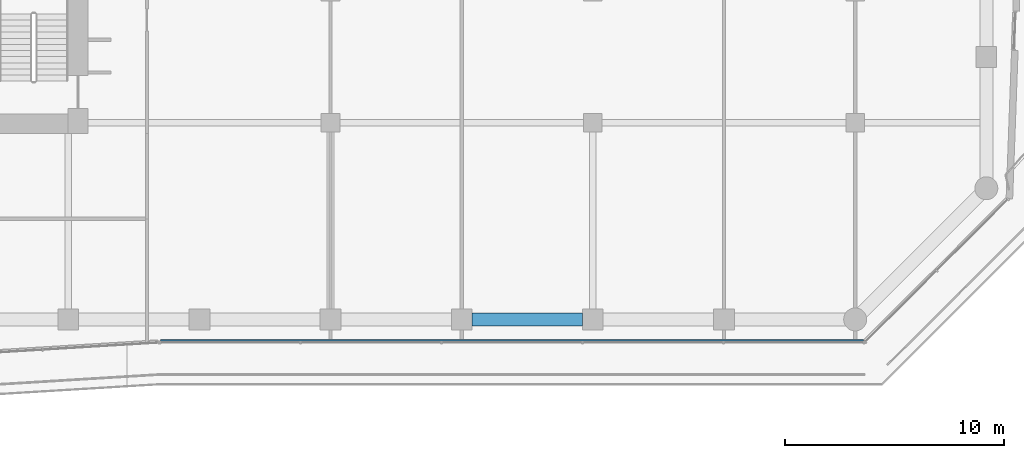
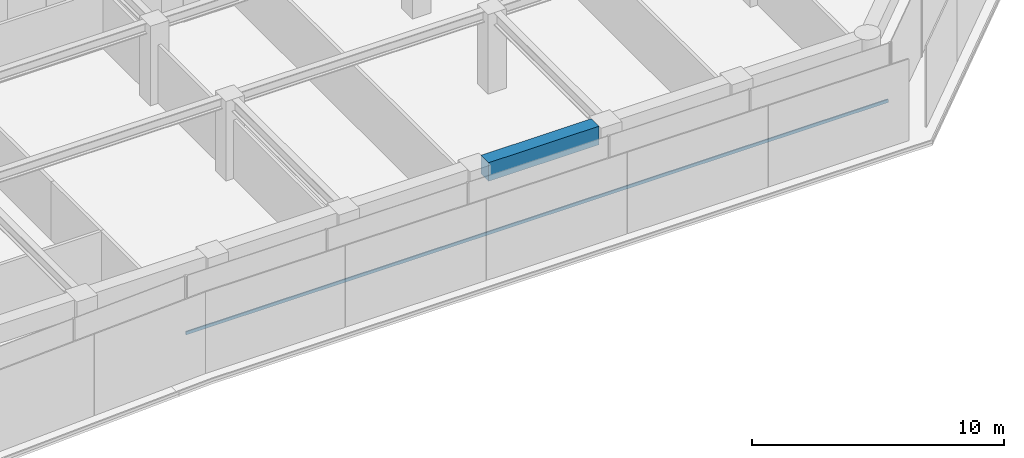
# One storey, part 7 of 29: 1 beam, 1 member, 1 element without a shape of its own.
"""IFC4 building model written with IfcOpenShell, lengths in metres."""

from ifc_helpers import new_model, si_unit, direction, frame, origin, origin_2d, place, context, subcontext, project, spatial, rectangle, extrude, material, layer, layer_set, material_profile, profile_set, type_object, element, aggregate, save


model = new_model("IFC4")

# Units and contexts
model_context = context("Model", 3, precision=1e-05, world=origin(), true_north=direction((0.0, 1.0)))
body_context = subcontext(model_context, "Body", "Model", "MODEL_VIEW")
ifc_project = project(units=[si_unit("LENGTHUNIT", "METRE"), si_unit("AREAUNIT", "SQUARE_METRE"), si_unit("VOLUMEUNIT", "CUBIC_METRE"), si_unit("PLANEANGLEUNIT", "RADIAN"), si_unit("MASSUNIT", "GRAM", prefix="KILO")], contexts=[model_context])

# Site, building, storey
site_placement = place(None, origin())
site = spatial("IfcSite", under=ifc_project, at=site_placement, CompositionType="ELEMENT")
building_placement = place(site_placement, origin())
building = spatial("IfcBuilding", under=site, at=building_placement, Name="Welwitschia Terrace Campus", CompositionType="ELEMENT")
storey_placement = place(building_placement, frame((0.0, 0.0, 66.800048828125)))
storey = spatial("IfcBuildingStorey", under=building, at=storey_placement, Name="L15", CompositionType="ELEMENT", Elevation=66.800048828125)

# Beam
ifc_material_1 = material(Name="Concrete C60/75", Category="concrete")
ifc_material_profile_1 = material_profile(ifc_material_1, rectangle(XDim=0.60009765625, YDim=0.89990234375, at=origin_2d()))
ifc_profile_set_1 = profile_set([ifc_material_profile_1], Name="Concrete C60/75")
beam_type = type_object("IfcBeamType", Name="Ring spandrel 600x900", PredefinedType="SPANDREL", material=ifc_profile_set_1)
beam_placement = place(storey_placement, frame((42.4755859375, -4.0, 3.39990234375), z_axis=(1.0, 0.0, 0.0), x_axis=(0.0, 1.0, 0.0)))
element("IfcBeam", 1, at=beam_placement, inside=storey, type_object=beam_type, Name="Spandrel SP2", PredefinedType="SPANDREL", context=body_context, shape_type="SweptSolid", body=[
    extrude(rectangle(XDim=0.60009765625, YDim=0.89990234375, at=origin_2d()), origin(), (0.0, 0.0, 1.0), 5.048828125),
])

# Curtain wall, member
ifc_material_2 = material(Name="Bronze anodised aluminium", Category="aluminium")
ifc_layer = layer(ifc_material_2, 0.1201171875)
ifc_layer_set = layer_set([ifc_layer], Name="Bronze anodised aluminium")
curtain_wall_type = type_object("IfcCurtainWallType", Name="Curtain wall CW2 tower 6000", PredefinedType="NOTDEFINED", material=ifc_layer_set)
curtain_wall_placement = place(storey_placement, origin())
curtain_wall = element("IfcCurtainWall", 2, at=curtain_wall_placement, inside=storey, type_object=curtain_wall_type, Name="CW L15.3.0", PredefinedType="NOTDEFINED")
ifc_material_3 = material(Name="Bronze anodised aluminium", Category="aluminium")
ifc_material_profile_2 = material_profile(ifc_material_3, rectangle(XDim=0.06005859375, YDim=0.14990234375, at=origin_2d()))
ifc_profile_set_2 = profile_set([ifc_material_profile_2], Name="Bronze anodised aluminium")
member_type = type_object("IfcMemberType", Name="Transom 60x150", PredefinedType="USERDEFINED", material=ifc_profile_set_2)
member_placement = place(storey_placement, frame((28.22509765625, -4.968017578125, 1.0), z_axis=(1.0, 0.0, 0.0), x_axis=(0.0, 1.0, 0.0)))
member = element("IfcMember", 3, at=member_placement, type_object=member_type, Name="Transom L15.3.0", ObjectType="TRANSOM", PredefinedType="USERDEFINED", context=body_context, shape_type="SweptSolid", body=[
    extrude(rectangle(XDim=0.06005859375, YDim=0.14990234375, at=origin_2d()), origin(), (0.0, 0.0, 1.0), 32.153076171875),
])
aggregate(curtain_wall, [member])

save(model, "model.ifc")
